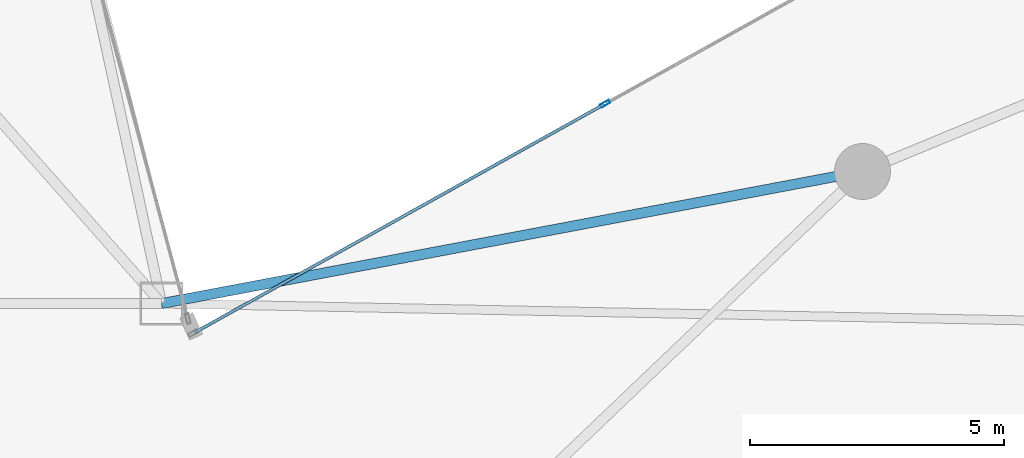
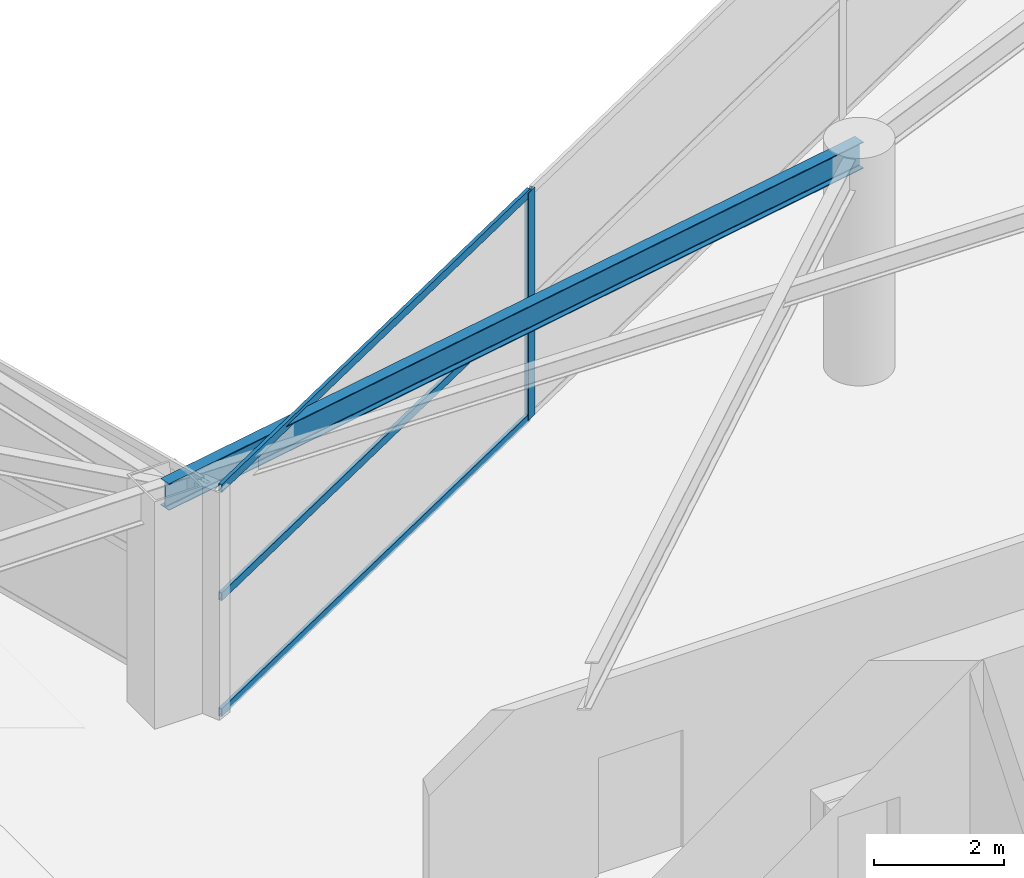
# One storey, part 10 of 26: 4 members, 1 beam, 1 element without a shape of its own.
"""IFC4 building model written with IfcOpenShell, lengths in metres."""

from ifc_helpers import new_model, si_unit, direction, frame, origin, origin_2d, place, context, subcontext, project, spatial, hollow_rectangle, i_section, extrude, material, layer, layer_set, material_profile, profile_set, type_object, element, aggregate, save


model = new_model("IFC4")

# Units and contexts
model_context = context("Model", 3, precision=1e-05, world=origin(), true_north=direction((0.0, 1.0)))
body_context = subcontext(model_context, "Body", "Model", "MODEL_VIEW")
ifc_project = project(units=[si_unit("LENGTHUNIT", "METRE"), si_unit("AREAUNIT", "SQUARE_METRE"), si_unit("VOLUMEUNIT", "CUBIC_METRE"), si_unit("PLANEANGLEUNIT", "RADIAN"), si_unit("MASSUNIT", "GRAM", prefix="KILO")], contexts=[model_context])

# Site, building, storey
site_placement = place(None, origin())
site = spatial("IfcSite", under=ifc_project, at=site_placement, CompositionType="ELEMENT")
building_placement = place(site_placement, origin())
building = spatial("IfcBuilding", under=site, at=building_placement, Name="Calvorn Quay Hotel", CompositionType="ELEMENT")
storey_placement = place(building_placement, frame((0.0, 0.0, 144.0)))
storey = spatial("IfcBuildingStorey", under=building, at=storey_placement, Name="L35", CompositionType="ELEMENT", Elevation=144.0)

# Beam
ifc_material_1 = material(Name="Steel Q355B", Category="steel")
ifc_material_profile_1 = material_profile(ifc_material_1, i_section(OverallWidth=0.199951171875, OverallDepth=0.5, WebThickness=0.010009765625, FlangeThickness=0.01611328125, FilletRadius=0.01611328125, at=origin_2d()), Name="HN500x200x10x16")
ifc_profile_set_1 = profile_set([ifc_material_profile_1], Name="Steel Q355B")
beam_type = type_object("IfcBeamType", Name="BM-SPANDREL-Z1", PredefinedType="SPANDREL", material=ifc_profile_set_1)
beam_placement = place(storey_placement, frame((34.800048828125, 27.60009765625, 3.989990234375), z_axis=(-0.982709432406, -0.185154452988, 0.0), x_axis=(0.185154452988, -0.982709432406, 0.0)))
element("IfcBeam", 1, at=beam_placement, inside=storey, type_object=beam_type, Name="Beam BSP-L35-E5", PredefinedType="SPANDREL", context=body_context, shape_type="SweptSolid", body=[
    extrude(i_section(OverallWidth=0.199951171875, OverallDepth=0.5, WebThickness=0.010009765625, FlangeThickness=0.01611328125, FilletRadius=0.01611328125, at=origin_2d()), origin(), (0.0, 0.0, 1.0), 14.04296875),
])

# Curtain wall, members
ifc_material_2 = material(Name="Pale Anodised Aluminium and Low-E Glass", Category="aluminium")
ifc_layer = layer(ifc_material_2, 0.219970703125)
ifc_layer_set = layer_set([ifc_layer], Name="CW-SYS-Z2")
curtain_wall_type = type_object("IfcCurtainWallType", Name="CW-SYS-Z2", PredefinedType="NOTDEFINED", material=ifc_layer_set)
curtain_wall_placement = place(storey_placement, origin())
curtain_wall = element("IfcCurtainWall", 2, at=curtain_wall_placement, inside=storey, type_object=curtain_wall_type, Name="Inner Court Curtain Wall L35-NE1", PredefinedType="NOTDEFINED")
ifc_material_3 = material(Name="Pale Anodised Aluminium 6063-T6", Category="aluminium")
ifc_material_profile_2 = material_profile(ifc_material_3, hollow_rectangle(XDim=0.070068359375, YDim=0.199951171875, WallThickness=0.00390625, at=origin_2d()), Name="ALU-M200x70x4")
ifc_profile_set_2 = profile_set([ifc_material_profile_2], Name="Pale Anodised Aluminium 6063-T6")
member_type_1 = type_object("IfcMemberType", Name="CW-SYS-Z2-MUL", PredefinedType="MULLION", material=ifc_profile_set_2)
member_1_placement = place(storey_placement, frame((29.7333984375, 28.933349609375, 0.0), z_axis=(0.0, 0.0, 1.0), x_axis=(0.486858256224, -0.873480989116, 0.0)))
member_1 = element("IfcMember", 3, at=member_1_placement, type_object=member_type_1, Name="CW-L35-NE1 mullion 3", PredefinedType="MULLION", context=body_context, shape_type="SweptSolid", body=[
    extrude(hollow_rectangle(XDim=0.070068359375, YDim=0.199951171875, WallThickness=0.00390625, at=origin_2d()), origin(), (0.0, 0.0, 1.0), 4.260009765625),
])
ifc_material_4 = material(Name="Pale Anodised Aluminium 6063-T6", Category="aluminium")
ifc_material_profile_3 = material_profile(ifc_material_4, hollow_rectangle(XDim=0.06005859375, YDim=0.14990234375, WallThickness=0.00341796875, at=origin_2d()), Name="ALU-T150x60x3.5")
ifc_profile_set_3 = profile_set([ifc_material_profile_3], Name="Pale Anodised Aluminium 6063-T6")
member_type_2 = type_object("IfcMemberType", Name="CW-SYS-Z2-TRN", PredefinedType="USERDEFINED", material=ifc_profile_set_3)
member_2_placement = place(storey_placement, frame((29.70703125, 28.918701171875, 0.030029296875), z_axis=(-0.87348080454, -0.486858587375, 0.0), x_axis=(0.486858587375, -0.87348080454, 0.0)))
member_2 = element("IfcMember", 4, at=member_2_placement, type_object=member_type_2, Name="CW-L35-NE1 transom 3.1", ObjectType="TRANSOM", PredefinedType="USERDEFINED", context=body_context, shape_type="SweptSolid", body=[
    extrude(hollow_rectangle(XDim=0.06005859375, YDim=0.14990234375, WallThickness=0.00341796875, at=origin_2d()), origin(), (0.0, 0.0, 1.0), 9.221435546875),
])
member_3_placement = place(storey_placement, frame((29.70703125, 28.918701171875, 2.199951171875), z_axis=(-0.87348080454, -0.486858587375, 0.0), x_axis=(0.486858587375, -0.87348080454, 0.0)))
member_3 = element("IfcMember", 5, at=member_3_placement, type_object=member_type_2, Name="CW-L35-NE1 transom 3.2", ObjectType="TRANSOM", PredefinedType="USERDEFINED", context=body_context, shape_type="SweptSolid", body=[
    extrude(hollow_rectangle(XDim=0.06005859375, YDim=0.14990234375, WallThickness=0.00341796875, at=origin_2d()), origin(), (0.0, 0.0, 1.0), 9.221435546875),
])
member_4_placement = place(storey_placement, frame((29.70703125, 28.918701171875, 4.22998046875), z_axis=(-0.87348080454, -0.486858587375, 0.0), x_axis=(0.486858587375, -0.87348080454, 0.0)))
member_4 = element("IfcMember", 6, at=member_4_placement, type_object=member_type_2, Name="CW-L35-NE1 transom 3.3", ObjectType="TRANSOM", PredefinedType="USERDEFINED", context=body_context, shape_type="SweptSolid", body=[
    extrude(hollow_rectangle(XDim=0.06005859375, YDim=0.14990234375, WallThickness=0.00341796875, at=origin_2d()), origin(), (0.0, 0.0, 1.0), 9.221435546875),
])
aggregate(curtain_wall, [member_1, member_2, member_3, member_4])

save(model, "model.ifc")
